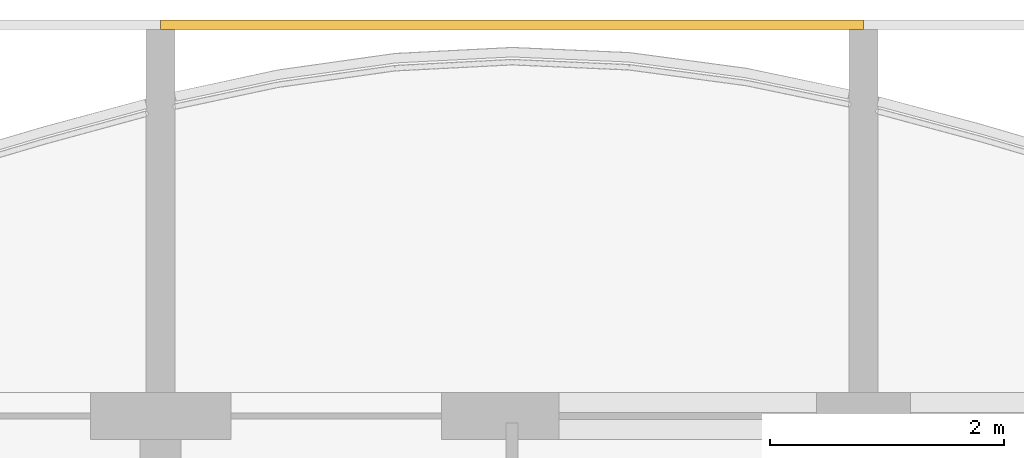
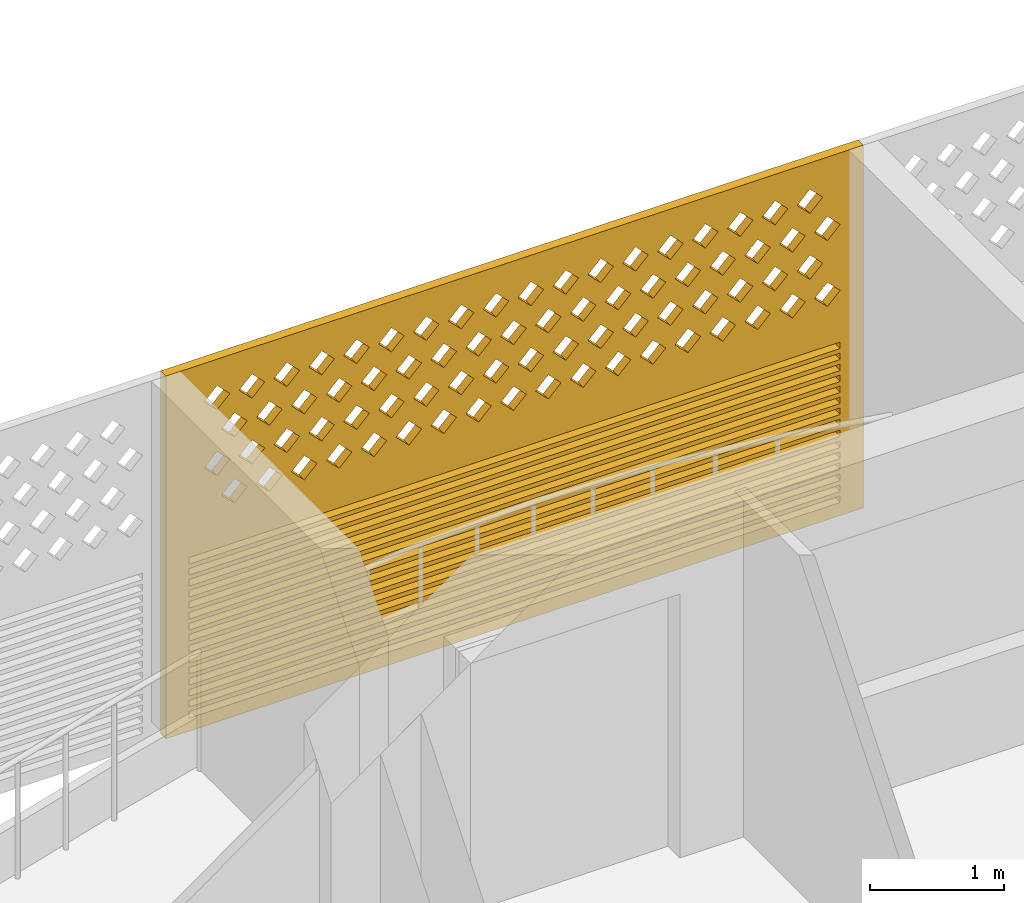
# One storey, part 22 of 29: 1 covering.
"""IFC4 building model written with IfcOpenShell, lengths in metres."""

from ifc_helpers import new_model, si_unit, direction, frame, origin, place, context, subcontext, project, spatial, polyline, outline, extrude, source, transform, mapped, material, material_profile, profile_set, type_object, element, save


model = new_model("IFC4")

# Units and contexts
model_context = context("Model", 3, precision=1e-05, world=origin(), true_north=direction((0.0, 1.0)))
body_context = subcontext(model_context, "Body", "Model", "MODEL_VIEW")
ifc_project = project(units=[si_unit("LENGTHUNIT", "METRE"), si_unit("AREAUNIT", "SQUARE_METRE"), si_unit("VOLUMEUNIT", "CUBIC_METRE"), si_unit("PLANEANGLEUNIT", "RADIAN"), si_unit("MASSUNIT", "GRAM", prefix="KILO")], contexts=[model_context])

# Site, building, storey
site_placement = place(None, origin())
site = spatial("IfcSite", under=ifc_project, at=site_placement, CompositionType="ELEMENT")
building_placement = place(site_placement, origin())
building = spatial("IfcBuilding", under=site, at=building_placement, Name="Poui Terraces", CompositionType="ELEMENT")
storey_placement = place(building_placement, frame((0.0, 0.0, 86.10009765625)))
storey = spatial("IfcBuildingStorey", under=building, at=storey_placement, Name="L23", CompositionType="ELEMENT", Elevation=86.10009765625)

# Covering
ifc_material = material(Name="Terracotta screen", Category="masonry")
ifc_material_profile = material_profile(ifc_material, outline(polyline([(-3.0, -1.64990234375), (3.0, -1.64990234375), (3.0, 1.64990234375), (-3.0, 1.64990234375), (-3.0, -1.64990234375)]), holes=[polyline([(-2.800048828125, 0.39990234375), (-2.68994140625, 0.2900390625), (-2.580078125, 0.39990234375), (-2.68994140625, 0.510009765625), (-2.800048828125, 0.39990234375)]), polyline([(-2.5, 0.39990234375), (-2.389892578125, 0.2900390625), (-2.280029296875, 0.39990234375), (-2.389892578125, 0.510009765625), (-2.5, 0.39990234375)]), polyline([(-2.199951171875, 0.39990234375), (-2.090087890625, 0.2900390625), (-1.97998046875, 0.39990234375), (-2.090087890625, 0.510009765625), (-2.199951171875, 0.39990234375)]), polyline([(-1.89990234375, 0.39990234375), (-1.7900390625, 0.2900390625), (-1.679931640625, 0.39990234375), (-1.7900390625, 0.510009765625), (-1.89990234375, 0.39990234375)]), polyline([(-1.60009765625, 0.39990234375), (-1.489990234375, 0.2900390625), (-1.3798828125, 0.39990234375), (-1.489990234375, 0.510009765625), (-1.60009765625, 0.39990234375)]), polyline([(-1.300048828125, 0.39990234375), (-1.18994140625, 0.2900390625), (-1.080078125, 0.39990234375), (-1.18994140625, 0.510009765625), (-1.300048828125, 0.39990234375)]), polyline([(-1.0, 0.39990234375), (-0.889892578125, 0.2900390625), (-0.780029296875, 0.39990234375), (-0.889892578125, 0.510009765625), (-1.0, 0.39990234375)]), polyline([(-0.699951171875, 0.39990234375), (-0.590087890625, 0.2900390625), (-0.47998046875, 0.39990234375), (-0.590087890625, 0.510009765625), (-0.699951171875, 0.39990234375)]), polyline([(-0.39990234375, 0.39990234375), (-0.2900390625, 0.2900390625), (-0.179931640625, 0.39990234375), (-0.2900390625, 0.510009765625), (-0.39990234375, 0.39990234375)]), polyline([(-0.10009765625, 0.39990234375), (0.010009765625, 0.2900390625), (0.1201171875, 0.39990234375), (0.010009765625, 0.510009765625), (-0.10009765625, 0.39990234375)]), polyline([(0.199951171875, 0.39990234375), (0.31005859375, 0.2900390625), (0.419921875, 0.39990234375), (0.31005859375, 0.510009765625), (0.199951171875, 0.39990234375)]), polyline([(0.5, 0.39990234375), (0.610107421875, 0.2900390625), (0.719970703125, 0.39990234375), (0.610107421875, 0.510009765625), (0.5, 0.39990234375)]), polyline([(0.800048828125, 0.39990234375), (0.909912109375, 0.2900390625), (1.02001953125, 0.39990234375), (0.909912109375, 0.510009765625), (0.800048828125, 0.39990234375)]), polyline([(1.10009765625, 0.39990234375), (1.2099609375, 0.2900390625), (1.320068359375, 0.39990234375), (1.2099609375, 0.510009765625), (1.10009765625, 0.39990234375)]), polyline([(1.39990234375, 0.39990234375), (1.510009765625, 0.2900390625), (1.6201171875, 0.39990234375), (1.510009765625, 0.510009765625), (1.39990234375, 0.39990234375)]), polyline([(1.699951171875, 0.39990234375), (1.81005859375, 0.2900390625), (1.919921875, 0.39990234375), (1.81005859375, 0.510009765625), (1.699951171875, 0.39990234375)]), polyline([(2.0, 0.39990234375), (2.110107421875, 0.2900390625), (2.219970703125, 0.39990234375), (2.110107421875, 0.510009765625), (2.0, 0.39990234375)]), polyline([(2.300048828125, 0.39990234375), (2.409912109375, 0.2900390625), (2.52001953125, 0.39990234375), (2.409912109375, 0.510009765625), (2.300048828125, 0.39990234375)]), polyline([(-2.64990234375, 0.699951171875), (-2.5400390625, 0.590087890625), (-2.429931640625, 0.699951171875), (-2.5400390625, 0.81005859375), (-2.64990234375, 0.699951171875)]), polyline([(-2.35009765625, 0.699951171875), (-2.239990234375, 0.590087890625), (-2.1298828125, 0.699951171875), (-2.239990234375, 0.81005859375), (-2.35009765625, 0.699951171875)]), polyline([(-2.050048828125, 0.699951171875), (-1.93994140625, 0.590087890625), (-1.830078125, 0.699951171875), (-1.93994140625, 0.81005859375), (-2.050048828125, 0.699951171875)]), polyline([(-1.75, 0.699951171875), (-1.639892578125, 0.590087890625), (-1.530029296875, 0.699951171875), (-1.639892578125, 0.81005859375), (-1.75, 0.699951171875)]), polyline([(-1.449951171875, 0.699951171875), (-1.340087890625, 0.590087890625), (-1.22998046875, 0.699951171875), (-1.340087890625, 0.81005859375), (-1.449951171875, 0.699951171875)]), polyline([(-1.14990234375, 0.699951171875), (-1.0400390625, 0.590087890625), (-0.929931640625, 0.699951171875), (-1.0400390625, 0.81005859375), (-1.14990234375, 0.699951171875)]), polyline([(-0.85009765625, 0.699951171875), (-0.739990234375, 0.590087890625), (-0.6298828125, 0.699951171875), (-0.739990234375, 0.81005859375), (-0.85009765625, 0.699951171875)]), polyline([(-0.550048828125, 0.699951171875), (-0.43994140625, 0.590087890625), (-0.330078125, 0.699951171875), (-0.43994140625, 0.81005859375), (-0.550048828125, 0.699951171875)]), polyline([(-0.25, 0.699951171875), (-0.139892578125, 0.590087890625), (-0.030029296875, 0.699951171875), (-0.139892578125, 0.81005859375), (-0.25, 0.699951171875)]), polyline([(0.050048828125, 0.699951171875), (0.159912109375, 0.590087890625), (0.27001953125, 0.699951171875), (0.159912109375, 0.81005859375), (0.050048828125, 0.699951171875)]), polyline([(0.35009765625, 0.699951171875), (0.4599609375, 0.590087890625), (0.570068359375, 0.699951171875), (0.4599609375, 0.81005859375), (0.35009765625, 0.699951171875)]), polyline([(0.64990234375, 0.699951171875), (0.760009765625, 0.590087890625), (0.8701171875, 0.699951171875), (0.760009765625, 0.81005859375), (0.64990234375, 0.699951171875)]), polyline([(0.949951171875, 0.699951171875), (1.06005859375, 0.590087890625), (1.169921875, 0.699951171875), (1.06005859375, 0.81005859375), (0.949951171875, 0.699951171875)]), polyline([(1.25, 0.699951171875), (1.360107421875, 0.590087890625), (1.469970703125, 0.699951171875), (1.360107421875, 0.81005859375), (1.25, 0.699951171875)]), polyline([(1.550048828125, 0.699951171875), (1.659912109375, 0.590087890625), (1.77001953125, 0.699951171875), (1.659912109375, 0.81005859375), (1.550048828125, 0.699951171875)]), polyline([(1.85009765625, 0.699951171875), (1.9599609375, 0.590087890625), (2.070068359375, 0.699951171875), (1.9599609375, 0.81005859375), (1.85009765625, 0.699951171875)]), polyline([(2.14990234375, 0.699951171875), (2.260009765625, 0.590087890625), (2.3701171875, 0.699951171875), (2.260009765625, 0.81005859375), (2.14990234375, 0.699951171875)]), polyline([(2.449951171875, 0.699951171875), (2.56005859375, 0.590087890625), (2.669921875, 0.699951171875), (2.56005859375, 0.81005859375), (2.449951171875, 0.699951171875)]), polyline([(-2.800048828125, 1.0), (-2.68994140625, 0.889892578125), (-2.580078125, 1.0), (-2.68994140625, 1.110107421875), (-2.800048828125, 1.0)]), polyline([(-2.5, 1.0), (-2.389892578125, 0.889892578125), (-2.280029296875, 1.0), (-2.389892578125, 1.110107421875), (-2.5, 1.0)]), polyline([(-2.199951171875, 1.0), (-2.090087890625, 0.889892578125), (-1.97998046875, 1.0), (-2.090087890625, 1.110107421875), (-2.199951171875, 1.0)]), polyline([(-1.89990234375, 1.0), (-1.7900390625, 0.889892578125), (-1.679931640625, 1.0), (-1.7900390625, 1.110107421875), (-1.89990234375, 1.0)]), polyline([(-1.60009765625, 1.0), (-1.489990234375, 0.889892578125), (-1.3798828125, 1.0), (-1.489990234375, 1.110107421875), (-1.60009765625, 1.0)]), polyline([(-1.300048828125, 1.0), (-1.18994140625, 0.889892578125), (-1.080078125, 1.0), (-1.18994140625, 1.110107421875), (-1.300048828125, 1.0)]), polyline([(-1.0, 1.0), (-0.889892578125, 0.889892578125), (-0.780029296875, 1.0), (-0.889892578125, 1.110107421875), (-1.0, 1.0)]), polyline([(-0.699951171875, 1.0), (-0.590087890625, 0.889892578125), (-0.47998046875, 1.0), (-0.590087890625, 1.110107421875), (-0.699951171875, 1.0)]), polyline([(-0.39990234375, 1.0), (-0.2900390625, 0.889892578125), (-0.179931640625, 1.0), (-0.2900390625, 1.110107421875), (-0.39990234375, 1.0)]), polyline([(-0.10009765625, 1.0), (0.010009765625, 0.889892578125), (0.1201171875, 1.0), (0.010009765625, 1.110107421875), (-0.10009765625, 1.0)]), polyline([(0.199951171875, 1.0), (0.31005859375, 0.889892578125), (0.419921875, 1.0), (0.31005859375, 1.110107421875), (0.199951171875, 1.0)]), polyline([(0.5, 1.0), (0.610107421875, 0.889892578125), (0.719970703125, 1.0), (0.610107421875, 1.110107421875), (0.5, 1.0)]), polyline([(0.800048828125, 1.0), (0.909912109375, 0.889892578125), (1.02001953125, 1.0), (0.909912109375, 1.110107421875), (0.800048828125, 1.0)]), polyline([(1.10009765625, 1.0), (1.2099609375, 0.889892578125), (1.320068359375, 1.0), (1.2099609375, 1.110107421875), (1.10009765625, 1.0)]), polyline([(1.39990234375, 1.0), (1.510009765625, 0.889892578125), (1.6201171875, 1.0), (1.510009765625, 1.110107421875), (1.39990234375, 1.0)]), polyline([(1.699951171875, 1.0), (1.81005859375, 0.889892578125), (1.919921875, 1.0), (1.81005859375, 1.110107421875), (1.699951171875, 1.0)]), polyline([(2.0, 1.0), (2.110107421875, 0.889892578125), (2.219970703125, 1.0), (2.110107421875, 1.110107421875), (2.0, 1.0)]), polyline([(2.300048828125, 1.0), (2.409912109375, 0.889892578125), (2.52001953125, 1.0), (2.409912109375, 1.110107421875), (2.300048828125, 1.0)]), polyline([(-2.64990234375, 1.300048828125), (-2.5400390625, 1.18994140625), (-2.429931640625, 1.300048828125), (-2.5400390625, 1.409912109375), (-2.64990234375, 1.300048828125)]), polyline([(-2.35009765625, 1.300048828125), (-2.239990234375, 1.18994140625), (-2.1298828125, 1.300048828125), (-2.239990234375, 1.409912109375), (-2.35009765625, 1.300048828125)]), polyline([(-2.050048828125, 1.300048828125), (-1.93994140625, 1.18994140625), (-1.830078125, 1.300048828125), (-1.93994140625, 1.409912109375), (-2.050048828125, 1.300048828125)]), polyline([(-1.75, 1.300048828125), (-1.639892578125, 1.18994140625), (-1.530029296875, 1.300048828125), (-1.639892578125, 1.409912109375), (-1.75, 1.300048828125)]), polyline([(-1.449951171875, 1.300048828125), (-1.340087890625, 1.18994140625), (-1.22998046875, 1.300048828125), (-1.340087890625, 1.409912109375), (-1.449951171875, 1.300048828125)]), polyline([(-1.14990234375, 1.300048828125), (-1.0400390625, 1.18994140625), (-0.929931640625, 1.300048828125), (-1.0400390625, 1.409912109375), (-1.14990234375, 1.300048828125)]), polyline([(-0.85009765625, 1.300048828125), (-0.739990234375, 1.18994140625), (-0.6298828125, 1.300048828125), (-0.739990234375, 1.409912109375), (-0.85009765625, 1.300048828125)]), polyline([(-0.550048828125, 1.300048828125), (-0.43994140625, 1.18994140625), (-0.330078125, 1.300048828125), (-0.43994140625, 1.409912109375), (-0.550048828125, 1.300048828125)]), polyline([(-0.25, 1.300048828125), (-0.139892578125, 1.18994140625), (-0.030029296875, 1.300048828125), (-0.139892578125, 1.409912109375), (-0.25, 1.300048828125)]), polyline([(0.050048828125, 1.300048828125), (0.159912109375, 1.18994140625), (0.27001953125, 1.300048828125), (0.159912109375, 1.409912109375), (0.050048828125, 1.300048828125)]), polyline([(0.35009765625, 1.300048828125), (0.4599609375, 1.18994140625), (0.570068359375, 1.300048828125), (0.4599609375, 1.409912109375), (0.35009765625, 1.300048828125)]), polyline([(0.64990234375, 1.300048828125), (0.760009765625, 1.18994140625), (0.8701171875, 1.300048828125), (0.760009765625, 1.409912109375), (0.64990234375, 1.300048828125)]), polyline([(0.949951171875, 1.300048828125), (1.06005859375, 1.18994140625), (1.169921875, 1.300048828125), (1.06005859375, 1.409912109375), (0.949951171875, 1.300048828125)]), polyline([(1.25, 1.300048828125), (1.360107421875, 1.18994140625), (1.469970703125, 1.300048828125), (1.360107421875, 1.409912109375), (1.25, 1.300048828125)]), polyline([(1.550048828125, 1.300048828125), (1.659912109375, 1.18994140625), (1.77001953125, 1.300048828125), (1.659912109375, 1.409912109375), (1.550048828125, 1.300048828125)]), polyline([(1.85009765625, 1.300048828125), (1.9599609375, 1.18994140625), (2.070068359375, 1.300048828125), (1.9599609375, 1.409912109375), (1.85009765625, 1.300048828125)]), polyline([(2.14990234375, 1.300048828125), (2.260009765625, 1.18994140625), (2.3701171875, 1.300048828125), (2.260009765625, 1.409912109375), (2.14990234375, 1.300048828125)]), polyline([(2.449951171875, 1.300048828125), (2.56005859375, 1.18994140625), (2.669921875, 1.300048828125), (2.56005859375, 1.409912109375), (2.449951171875, 1.300048828125)]), polyline([(-2.800048828125, -1.530029296875), (2.800048828125, -1.530029296875), (2.800048828125, -1.469970703125), (-2.800048828125, -1.469970703125), (-2.800048828125, -1.530029296875)]), polyline([(-2.800048828125, -1.429931640625), (2.800048828125, -1.429931640625), (2.800048828125, -1.3701171875), (-2.800048828125, -1.3701171875), (-2.800048828125, -1.429931640625)]), polyline([(-2.800048828125, -1.330078125), (2.800048828125, -1.330078125), (2.800048828125, -1.27001953125), (-2.800048828125, -1.27001953125), (-2.800048828125, -1.330078125)]), polyline([(-2.800048828125, -1.22998046875), (2.800048828125, -1.22998046875), (2.800048828125, -1.169921875), (-2.800048828125, -1.169921875), (-2.800048828125, -1.22998046875)]), polyline([(-2.800048828125, -1.1298828125), (2.800048828125, -1.1298828125), (2.800048828125, -1.070068359375), (-2.800048828125, -1.070068359375), (-2.800048828125, -1.1298828125)]), polyline([(-2.800048828125, -1.030029296875), (2.800048828125, -1.030029296875), (2.800048828125, -0.969970703125), (-2.800048828125, -0.969970703125), (-2.800048828125, -1.030029296875)]), polyline([(-2.800048828125, -0.929931640625), (2.800048828125, -0.929931640625), (2.800048828125, -0.8701171875), (-2.800048828125, -0.8701171875), (-2.800048828125, -0.929931640625)]), polyline([(-2.800048828125, -0.830078125), (2.800048828125, -0.830078125), (2.800048828125, -0.77001953125), (-2.800048828125, -0.77001953125), (-2.800048828125, -0.830078125)]), polyline([(-2.800048828125, -0.72998046875), (2.800048828125, -0.72998046875), (2.800048828125, -0.669921875), (-2.800048828125, -0.669921875), (-2.800048828125, -0.72998046875)]), polyline([(-2.800048828125, -0.6298828125), (2.800048828125, -0.6298828125), (2.800048828125, -0.570068359375), (-2.800048828125, -0.570068359375), (-2.800048828125, -0.6298828125)]), polyline([(-2.800048828125, -0.530029296875), (2.800048828125, -0.530029296875), (2.800048828125, -0.469970703125), (-2.800048828125, -0.469970703125), (-2.800048828125, -0.530029296875)]), polyline([(-2.800048828125, -0.429931640625), (2.800048828125, -0.429931640625), (2.800048828125, -0.3701171875), (-2.800048828125, -0.3701171875), (-2.800048828125, -0.429931640625)]), polyline([(-2.800048828125, -0.330078125), (2.800048828125, -0.330078125), (2.800048828125, -0.27001953125), (-2.800048828125, -0.27001953125), (-2.800048828125, -0.330078125)]), polyline([(-2.800048828125, -0.22998046875), (2.800048828125, -0.22998046875), (2.800048828125, -0.169921875), (-2.800048828125, -0.169921875), (-2.800048828125, -0.22998046875)]), polyline([(-2.800048828125, -0.1298828125), (2.800048828125, -0.1298828125), (2.800048828125, -0.070068359375), (-2.800048828125, -0.070068359375), (-2.800048828125, -0.1298828125)])]), Name="TERRACOTTA SCREEN AND JALOUSIE LOUVRE 6000X3300")
ifc_profile_set = profile_set([ifc_material_profile], Name="Terracotta screen")
covering_type = type_object("IfcCoveringType", Name="TERRACOTTA SCREEN AND JALOUSIE LOUVRE 6000X3300", PredefinedType="CLADDING", material=ifc_profile_set)
shared_shape = source(origin(), body_context, "Body", "SweptSolid", [
    extrude(outline(polyline([(-3.0, -1.64990234375), (3.0, -1.64990234375), (3.0, 1.64990234375), (-3.0, 1.64990234375), (-3.0, -1.64990234375)]), holes=[polyline([(-2.800048828125, 0.39990234375), (-2.68994140625, 0.2900390625), (-2.580078125, 0.39990234375), (-2.68994140625, 0.510009765625), (-2.800048828125, 0.39990234375)]), polyline([(-2.5, 0.39990234375), (-2.389892578125, 0.2900390625), (-2.280029296875, 0.39990234375), (-2.389892578125, 0.510009765625), (-2.5, 0.39990234375)]), polyline([(-2.199951171875, 0.39990234375), (-2.090087890625, 0.2900390625), (-1.97998046875, 0.39990234375), (-2.090087890625, 0.510009765625), (-2.199951171875, 0.39990234375)]), polyline([(-1.89990234375, 0.39990234375), (-1.7900390625, 0.2900390625), (-1.679931640625, 0.39990234375), (-1.7900390625, 0.510009765625), (-1.89990234375, 0.39990234375)]), polyline([(-1.60009765625, 0.39990234375), (-1.489990234375, 0.2900390625), (-1.3798828125, 0.39990234375), (-1.489990234375, 0.510009765625), (-1.60009765625, 0.39990234375)]), polyline([(-1.300048828125, 0.39990234375), (-1.18994140625, 0.2900390625), (-1.080078125, 0.39990234375), (-1.18994140625, 0.510009765625), (-1.300048828125, 0.39990234375)]), polyline([(-1.0, 0.39990234375), (-0.889892578125, 0.2900390625), (-0.780029296875, 0.39990234375), (-0.889892578125, 0.510009765625), (-1.0, 0.39990234375)]), polyline([(-0.699951171875, 0.39990234375), (-0.590087890625, 0.2900390625), (-0.47998046875, 0.39990234375), (-0.590087890625, 0.510009765625), (-0.699951171875, 0.39990234375)]), polyline([(-0.39990234375, 0.39990234375), (-0.2900390625, 0.2900390625), (-0.179931640625, 0.39990234375), (-0.2900390625, 0.510009765625), (-0.39990234375, 0.39990234375)]), polyline([(-0.10009765625, 0.39990234375), (0.010009765625, 0.2900390625), (0.1201171875, 0.39990234375), (0.010009765625, 0.510009765625), (-0.10009765625, 0.39990234375)]), polyline([(0.199951171875, 0.39990234375), (0.31005859375, 0.2900390625), (0.419921875, 0.39990234375), (0.31005859375, 0.510009765625), (0.199951171875, 0.39990234375)]), polyline([(0.5, 0.39990234375), (0.610107421875, 0.2900390625), (0.719970703125, 0.39990234375), (0.610107421875, 0.510009765625), (0.5, 0.39990234375)]), polyline([(0.800048828125, 0.39990234375), (0.909912109375, 0.2900390625), (1.02001953125, 0.39990234375), (0.909912109375, 0.510009765625), (0.800048828125, 0.39990234375)]), polyline([(1.10009765625, 0.39990234375), (1.2099609375, 0.2900390625), (1.320068359375, 0.39990234375), (1.2099609375, 0.510009765625), (1.10009765625, 0.39990234375)]), polyline([(1.39990234375, 0.39990234375), (1.510009765625, 0.2900390625), (1.6201171875, 0.39990234375), (1.510009765625, 0.510009765625), (1.39990234375, 0.39990234375)]), polyline([(1.699951171875, 0.39990234375), (1.81005859375, 0.2900390625), (1.919921875, 0.39990234375), (1.81005859375, 0.510009765625), (1.699951171875, 0.39990234375)]), polyline([(2.0, 0.39990234375), (2.110107421875, 0.2900390625), (2.219970703125, 0.39990234375), (2.110107421875, 0.510009765625), (2.0, 0.39990234375)]), polyline([(2.300048828125, 0.39990234375), (2.409912109375, 0.2900390625), (2.52001953125, 0.39990234375), (2.409912109375, 0.510009765625), (2.300048828125, 0.39990234375)]), polyline([(-2.64990234375, 0.699951171875), (-2.5400390625, 0.590087890625), (-2.429931640625, 0.699951171875), (-2.5400390625, 0.81005859375), (-2.64990234375, 0.699951171875)]), polyline([(-2.35009765625, 0.699951171875), (-2.239990234375, 0.590087890625), (-2.1298828125, 0.699951171875), (-2.239990234375, 0.81005859375), (-2.35009765625, 0.699951171875)]), polyline([(-2.050048828125, 0.699951171875), (-1.93994140625, 0.590087890625), (-1.830078125, 0.699951171875), (-1.93994140625, 0.81005859375), (-2.050048828125, 0.699951171875)]), polyline([(-1.75, 0.699951171875), (-1.639892578125, 0.590087890625), (-1.530029296875, 0.699951171875), (-1.639892578125, 0.81005859375), (-1.75, 0.699951171875)]), polyline([(-1.449951171875, 0.699951171875), (-1.340087890625, 0.590087890625), (-1.22998046875, 0.699951171875), (-1.340087890625, 0.81005859375), (-1.449951171875, 0.699951171875)]), polyline([(-1.14990234375, 0.699951171875), (-1.0400390625, 0.590087890625), (-0.929931640625, 0.699951171875), (-1.0400390625, 0.81005859375), (-1.14990234375, 0.699951171875)]), polyline([(-0.85009765625, 0.699951171875), (-0.739990234375, 0.590087890625), (-0.6298828125, 0.699951171875), (-0.739990234375, 0.81005859375), (-0.85009765625, 0.699951171875)]), polyline([(-0.550048828125, 0.699951171875), (-0.43994140625, 0.590087890625), (-0.330078125, 0.699951171875), (-0.43994140625, 0.81005859375), (-0.550048828125, 0.699951171875)]), polyline([(-0.25, 0.699951171875), (-0.139892578125, 0.590087890625), (-0.030029296875, 0.699951171875), (-0.139892578125, 0.81005859375), (-0.25, 0.699951171875)]), polyline([(0.050048828125, 0.699951171875), (0.159912109375, 0.590087890625), (0.27001953125, 0.699951171875), (0.159912109375, 0.81005859375), (0.050048828125, 0.699951171875)]), polyline([(0.35009765625, 0.699951171875), (0.4599609375, 0.590087890625), (0.570068359375, 0.699951171875), (0.4599609375, 0.81005859375), (0.35009765625, 0.699951171875)]), polyline([(0.64990234375, 0.699951171875), (0.760009765625, 0.590087890625), (0.8701171875, 0.699951171875), (0.760009765625, 0.81005859375), (0.64990234375, 0.699951171875)]), polyline([(0.949951171875, 0.699951171875), (1.06005859375, 0.590087890625), (1.169921875, 0.699951171875), (1.06005859375, 0.81005859375), (0.949951171875, 0.699951171875)]), polyline([(1.25, 0.699951171875), (1.360107421875, 0.590087890625), (1.469970703125, 0.699951171875), (1.360107421875, 0.81005859375), (1.25, 0.699951171875)]), polyline([(1.550048828125, 0.699951171875), (1.659912109375, 0.590087890625), (1.77001953125, 0.699951171875), (1.659912109375, 0.81005859375), (1.550048828125, 0.699951171875)]), polyline([(1.85009765625, 0.699951171875), (1.9599609375, 0.590087890625), (2.070068359375, 0.699951171875), (1.9599609375, 0.81005859375), (1.85009765625, 0.699951171875)]), polyline([(2.14990234375, 0.699951171875), (2.260009765625, 0.590087890625), (2.3701171875, 0.699951171875), (2.260009765625, 0.81005859375), (2.14990234375, 0.699951171875)]), polyline([(2.449951171875, 0.699951171875), (2.56005859375, 0.590087890625), (2.669921875, 0.699951171875), (2.56005859375, 0.81005859375), (2.449951171875, 0.699951171875)]), polyline([(-2.800048828125, 1.0), (-2.68994140625, 0.889892578125), (-2.580078125, 1.0), (-2.68994140625, 1.110107421875), (-2.800048828125, 1.0)]), polyline([(-2.5, 1.0), (-2.389892578125, 0.889892578125), (-2.280029296875, 1.0), (-2.389892578125, 1.110107421875), (-2.5, 1.0)]), polyline([(-2.199951171875, 1.0), (-2.090087890625, 0.889892578125), (-1.97998046875, 1.0), (-2.090087890625, 1.110107421875), (-2.199951171875, 1.0)]), polyline([(-1.89990234375, 1.0), (-1.7900390625, 0.889892578125), (-1.679931640625, 1.0), (-1.7900390625, 1.110107421875), (-1.89990234375, 1.0)]), polyline([(-1.60009765625, 1.0), (-1.489990234375, 0.889892578125), (-1.3798828125, 1.0), (-1.489990234375, 1.110107421875), (-1.60009765625, 1.0)]), polyline([(-1.300048828125, 1.0), (-1.18994140625, 0.889892578125), (-1.080078125, 1.0), (-1.18994140625, 1.110107421875), (-1.300048828125, 1.0)]), polyline([(-1.0, 1.0), (-0.889892578125, 0.889892578125), (-0.780029296875, 1.0), (-0.889892578125, 1.110107421875), (-1.0, 1.0)]), polyline([(-0.699951171875, 1.0), (-0.590087890625, 0.889892578125), (-0.47998046875, 1.0), (-0.590087890625, 1.110107421875), (-0.699951171875, 1.0)]), polyline([(-0.39990234375, 1.0), (-0.2900390625, 0.889892578125), (-0.179931640625, 1.0), (-0.2900390625, 1.110107421875), (-0.39990234375, 1.0)]), polyline([(-0.10009765625, 1.0), (0.010009765625, 0.889892578125), (0.1201171875, 1.0), (0.010009765625, 1.110107421875), (-0.10009765625, 1.0)]), polyline([(0.199951171875, 1.0), (0.31005859375, 0.889892578125), (0.419921875, 1.0), (0.31005859375, 1.110107421875), (0.199951171875, 1.0)]), polyline([(0.5, 1.0), (0.610107421875, 0.889892578125), (0.719970703125, 1.0), (0.610107421875, 1.110107421875), (0.5, 1.0)]), polyline([(0.800048828125, 1.0), (0.909912109375, 0.889892578125), (1.02001953125, 1.0), (0.909912109375, 1.110107421875), (0.800048828125, 1.0)]), polyline([(1.10009765625, 1.0), (1.2099609375, 0.889892578125), (1.320068359375, 1.0), (1.2099609375, 1.110107421875), (1.10009765625, 1.0)]), polyline([(1.39990234375, 1.0), (1.510009765625, 0.889892578125), (1.6201171875, 1.0), (1.510009765625, 1.110107421875), (1.39990234375, 1.0)]), polyline([(1.699951171875, 1.0), (1.81005859375, 0.889892578125), (1.919921875, 1.0), (1.81005859375, 1.110107421875), (1.699951171875, 1.0)]), polyline([(2.0, 1.0), (2.110107421875, 0.889892578125), (2.219970703125, 1.0), (2.110107421875, 1.110107421875), (2.0, 1.0)]), polyline([(2.300048828125, 1.0), (2.409912109375, 0.889892578125), (2.52001953125, 1.0), (2.409912109375, 1.110107421875), (2.300048828125, 1.0)]), polyline([(-2.64990234375, 1.300048828125), (-2.5400390625, 1.18994140625), (-2.429931640625, 1.300048828125), (-2.5400390625, 1.409912109375), (-2.64990234375, 1.300048828125)]), polyline([(-2.35009765625, 1.300048828125), (-2.239990234375, 1.18994140625), (-2.1298828125, 1.300048828125), (-2.239990234375, 1.409912109375), (-2.35009765625, 1.300048828125)]), polyline([(-2.050048828125, 1.300048828125), (-1.93994140625, 1.18994140625), (-1.830078125, 1.300048828125), (-1.93994140625, 1.409912109375), (-2.050048828125, 1.300048828125)]), polyline([(-1.75, 1.300048828125), (-1.639892578125, 1.18994140625), (-1.530029296875, 1.300048828125), (-1.639892578125, 1.409912109375), (-1.75, 1.300048828125)]), polyline([(-1.449951171875, 1.300048828125), (-1.340087890625, 1.18994140625), (-1.22998046875, 1.300048828125), (-1.340087890625, 1.409912109375), (-1.449951171875, 1.300048828125)]), polyline([(-1.14990234375, 1.300048828125), (-1.0400390625, 1.18994140625), (-0.929931640625, 1.300048828125), (-1.0400390625, 1.409912109375), (-1.14990234375, 1.300048828125)]), polyline([(-0.85009765625, 1.300048828125), (-0.739990234375, 1.18994140625), (-0.6298828125, 1.300048828125), (-0.739990234375, 1.409912109375), (-0.85009765625, 1.300048828125)]), polyline([(-0.550048828125, 1.300048828125), (-0.43994140625, 1.18994140625), (-0.330078125, 1.300048828125), (-0.43994140625, 1.409912109375), (-0.550048828125, 1.300048828125)]), polyline([(-0.25, 1.300048828125), (-0.139892578125, 1.18994140625), (-0.030029296875, 1.300048828125), (-0.139892578125, 1.409912109375), (-0.25, 1.300048828125)]), polyline([(0.050048828125, 1.300048828125), (0.159912109375, 1.18994140625), (0.27001953125, 1.300048828125), (0.159912109375, 1.409912109375), (0.050048828125, 1.300048828125)]), polyline([(0.35009765625, 1.300048828125), (0.4599609375, 1.18994140625), (0.570068359375, 1.300048828125), (0.4599609375, 1.409912109375), (0.35009765625, 1.300048828125)]), polyline([(0.64990234375, 1.300048828125), (0.760009765625, 1.18994140625), (0.8701171875, 1.300048828125), (0.760009765625, 1.409912109375), (0.64990234375, 1.300048828125)]), polyline([(0.949951171875, 1.300048828125), (1.06005859375, 1.18994140625), (1.169921875, 1.300048828125), (1.06005859375, 1.409912109375), (0.949951171875, 1.300048828125)]), polyline([(1.25, 1.300048828125), (1.360107421875, 1.18994140625), (1.469970703125, 1.300048828125), (1.360107421875, 1.409912109375), (1.25, 1.300048828125)]), polyline([(1.550048828125, 1.300048828125), (1.659912109375, 1.18994140625), (1.77001953125, 1.300048828125), (1.659912109375, 1.409912109375), (1.550048828125, 1.300048828125)]), polyline([(1.85009765625, 1.300048828125), (1.9599609375, 1.18994140625), (2.070068359375, 1.300048828125), (1.9599609375, 1.409912109375), (1.85009765625, 1.300048828125)]), polyline([(2.14990234375, 1.300048828125), (2.260009765625, 1.18994140625), (2.3701171875, 1.300048828125), (2.260009765625, 1.409912109375), (2.14990234375, 1.300048828125)]), polyline([(2.449951171875, 1.300048828125), (2.56005859375, 1.18994140625), (2.669921875, 1.300048828125), (2.56005859375, 1.409912109375), (2.449951171875, 1.300048828125)]), polyline([(-2.800048828125, -1.530029296875), (2.800048828125, -1.530029296875), (2.800048828125, -1.469970703125), (-2.800048828125, -1.469970703125), (-2.800048828125, -1.530029296875)]), polyline([(-2.800048828125, -1.429931640625), (2.800048828125, -1.429931640625), (2.800048828125, -1.3701171875), (-2.800048828125, -1.3701171875), (-2.800048828125, -1.429931640625)]), polyline([(-2.800048828125, -1.330078125), (2.800048828125, -1.330078125), (2.800048828125, -1.27001953125), (-2.800048828125, -1.27001953125), (-2.800048828125, -1.330078125)]), polyline([(-2.800048828125, -1.22998046875), (2.800048828125, -1.22998046875), (2.800048828125, -1.169921875), (-2.800048828125, -1.169921875), (-2.800048828125, -1.22998046875)]), polyline([(-2.800048828125, -1.1298828125), (2.800048828125, -1.1298828125), (2.800048828125, -1.070068359375), (-2.800048828125, -1.070068359375), (-2.800048828125, -1.1298828125)]), polyline([(-2.800048828125, -1.030029296875), (2.800048828125, -1.030029296875), (2.800048828125, -0.969970703125), (-2.800048828125, -0.969970703125), (-2.800048828125, -1.030029296875)]), polyline([(-2.800048828125, -0.929931640625), (2.800048828125, -0.929931640625), (2.800048828125, -0.8701171875), (-2.800048828125, -0.8701171875), (-2.800048828125, -0.929931640625)]), polyline([(-2.800048828125, -0.830078125), (2.800048828125, -0.830078125), (2.800048828125, -0.77001953125), (-2.800048828125, -0.77001953125), (-2.800048828125, -0.830078125)]), polyline([(-2.800048828125, -0.72998046875), (2.800048828125, -0.72998046875), (2.800048828125, -0.669921875), (-2.800048828125, -0.669921875), (-2.800048828125, -0.72998046875)]), polyline([(-2.800048828125, -0.6298828125), (2.800048828125, -0.6298828125), (2.800048828125, -0.570068359375), (-2.800048828125, -0.570068359375), (-2.800048828125, -0.6298828125)]), polyline([(-2.800048828125, -0.530029296875), (2.800048828125, -0.530029296875), (2.800048828125, -0.469970703125), (-2.800048828125, -0.469970703125), (-2.800048828125, -0.530029296875)]), polyline([(-2.800048828125, -0.429931640625), (2.800048828125, -0.429931640625), (2.800048828125, -0.3701171875), (-2.800048828125, -0.3701171875), (-2.800048828125, -0.429931640625)]), polyline([(-2.800048828125, -0.330078125), (2.800048828125, -0.330078125), (2.800048828125, -0.27001953125), (-2.800048828125, -0.27001953125), (-2.800048828125, -0.330078125)]), polyline([(-2.800048828125, -0.22998046875), (2.800048828125, -0.22998046875), (2.800048828125, -0.169921875), (-2.800048828125, -0.169921875), (-2.800048828125, -0.22998046875)]), polyline([(-2.800048828125, -0.1298828125), (2.800048828125, -0.1298828125), (2.800048828125, -0.070068359375), (-2.800048828125, -0.070068359375), (-2.800048828125, -0.1298828125)])]), origin(), (0.0, 0.0, 1.0), 0.080078125),
])
covering_placement = place(storey_placement, frame((33.0, 46.89990234375, 1.449951171875), z_axis=(0.0, 1.0, 0.0), x_axis=(-1.0, 0.0, 0.0)))
element("IfcCovering", 1, at=covering_placement, inside=storey, type_object=covering_type, Name="SOLAR SCREEN AND JALOUSIE LOUVRE", PredefinedType="CLADDING", context=body_context, shape_type="MappedRepresentation", body=[
    mapped(shared_shape, transform((0.0, 0.0, 0.0))),
])

save(model, "model.ifc")
